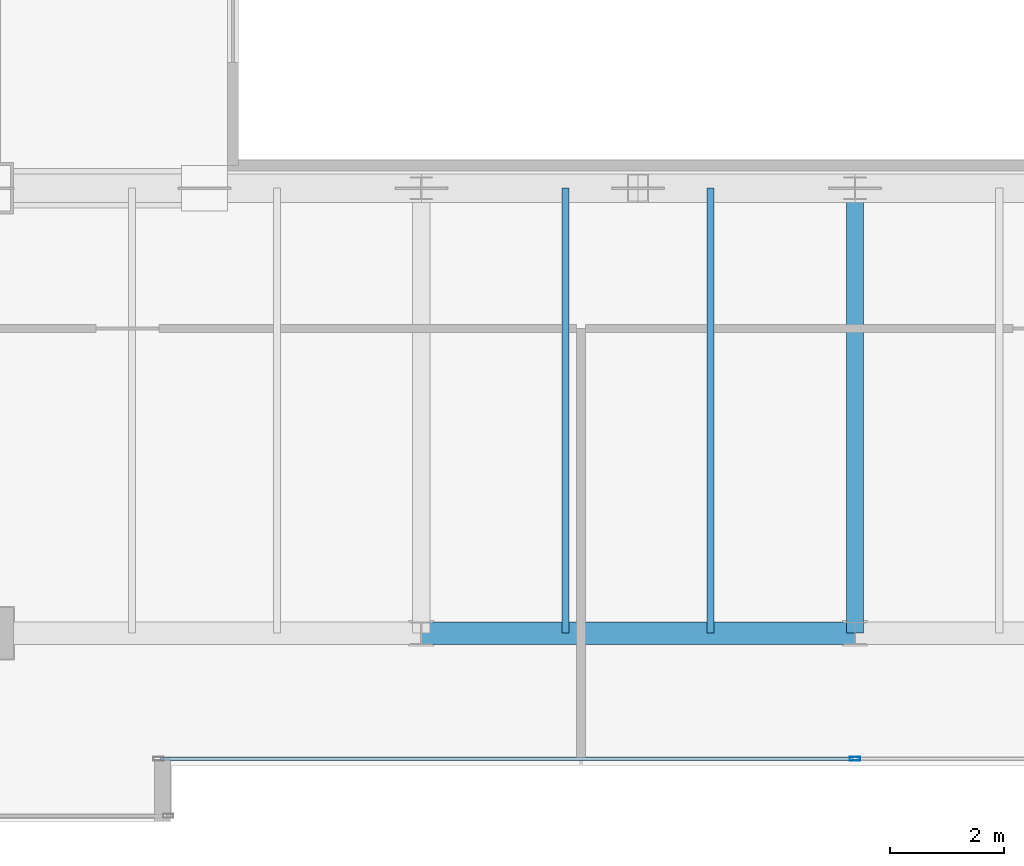
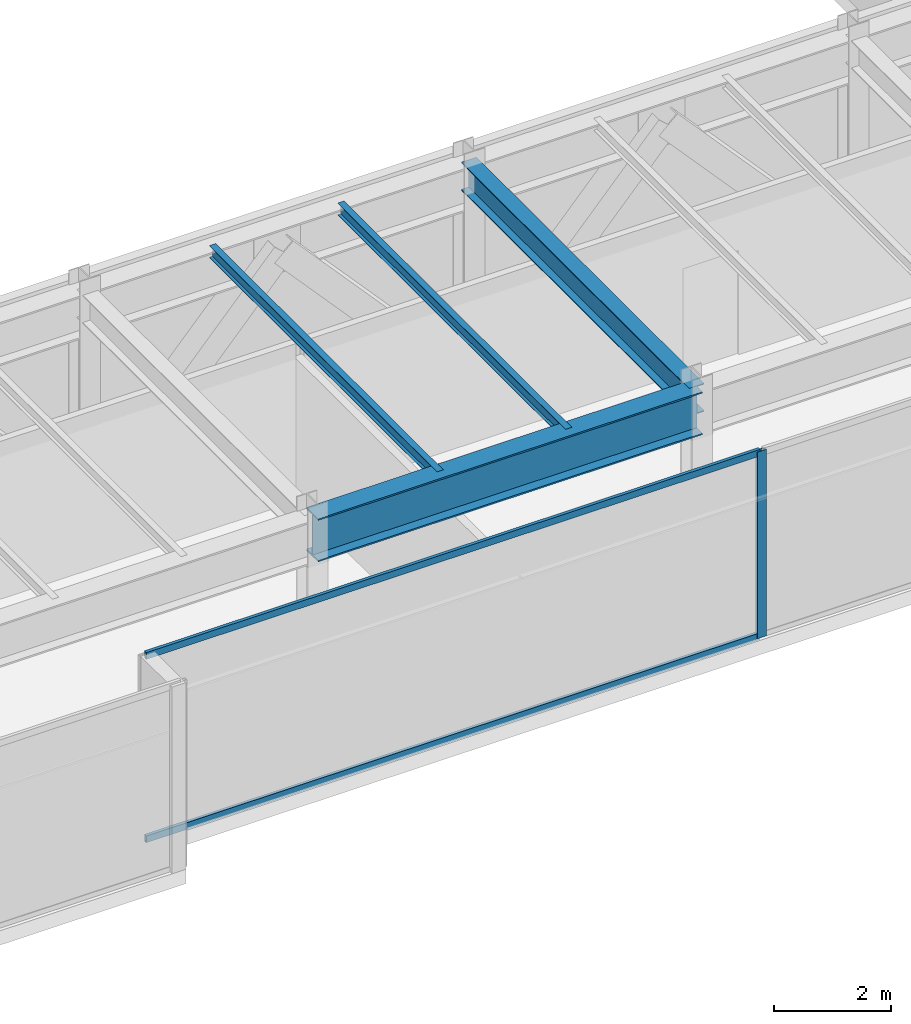
# One storey, part 7 of 32: 4 beams, 3 members, 1 element without a shape of its own.
"""IFC4 building model written with IfcOpenShell, lengths in metres."""

import ifcopenshell
import ifcopenshell.guid

model = None  # the IFC model being written
_history = None  # IfcOwnerHistory: only IFC2X3 demands one
_inside = {}  # id of a spatial element -> (the spatial element, [elements in it])
_under = {}  # id of a project, library or spatial element -> (it, [spatial elements below it])
_declared = {}  # id of a project -> (the project, [libraries it declares])
_typed = {}  # id of a type object -> (the type object, [elements of that type])
_made_of = {}  # id of a material, layer set ... -> (it, [elements and type objects made of it])


def new_model(schema):
    """Start an empty IFC model of exactly this schema.

    Asked for "IFC4X3", IfcOpenShell would pick the latest addendum, in which some entities
    have other attributes; the version numbers below select the first issue.
    IFC2X3 requires an IfcOwnerHistory on every rooted entity: one is made here for all.
    """
    global model, _history
    if schema == "IFC4X3":
        model = ifcopenshell.file(schema_version=(4, 3, 0, 0))
    else:
        model = ifcopenshell.file(schema=schema)
    _inside.clear()
    _under.clear()
    _declared.clear()
    _typed.clear()
    _made_of.clear()
    _history = None
    if model.schema == "IFC2X3":
        org = make("IfcOrganization", Name="unknown")
        user = make(
            "IfcPersonAndOrganization",
            ThePerson=make("IfcPerson", FamilyName="unknown"),
            TheOrganization=org,
        )
        app = make(
            "IfcApplication",
            ApplicationDeveloper=org,
            Version="unknown",
            ApplicationFullName="unknown",
            ApplicationIdentifier="unknown",
        )
        _history = make(
            "IfcOwnerHistory",
            OwningUser=user,
            OwningApplication=app,
            ChangeAction="ADDED",
            CreationDate=0,
        )
    return model


def make(cls, **values):
    """One entity of the class cls with the attributes given. An attribute that is None is left unset."""
    return model.create_entity(
        cls, **{name: value for name, value in values.items() if value is not None}
    )


def rooted(cls, **values):
    """An entity with a GlobalId (a new one), such as an element, a storey or a relation."""
    return make(cls, GlobalId=ifcopenshell.guid.new(), OwnerHistory=_history, **values)


def si_unit(unit_type, name, prefix=None):
    """IfcSIUnit, for example si_unit("LENGTHUNIT", "METRE", prefix="MILLI")."""
    return make("IfcSIUnit", UnitType=unit_type, Prefix=prefix, Name=name)


def assignment(units):
    """IfcUnitAssignment: the units of a project."""
    return None if units is None else make("IfcUnitAssignment", Units=units)


def point(xyz):
    """IfcCartesianPoint."""
    return None if xyz is None else make("IfcCartesianPoint", Coordinates=xyz)


def direction(xyz):
    """IfcDirection."""
    return None if xyz is None else make("IfcDirection", DirectionRatios=xyz)


def frame(location, z_axis=None, x_axis=None):
    """IfcAxis2Placement3D, a coordinate frame: its origin and axes. An axis left out is left unset."""
    return make(
        "IfcAxis2Placement3D",
        Location=point(location),
        Axis=direction(z_axis),
        RefDirection=direction(x_axis),
    )


def frame_2d(location, x_axis=None):
    """IfcAxis2Placement2D, a coordinate frame in the plane: its origin and x axis."""
    return make(
        "IfcAxis2Placement2D", Location=point(location), RefDirection=direction(x_axis)
    )


def origin():
    """The frame at (0, 0, 0) with its axes left unset."""
    return frame((0.0, 0.0, 0.0))


def origin_2d():
    """The frame at (0, 0) in the plane with its x axis left unset."""
    return frame_2d((0.0, 0.0))


def place(relative_to, where):
    """IfcLocalPlacement: puts the frame where relative to a parent placement (None: the world)."""
    return make(
        "IfcLocalPlacement", PlacementRelTo=relative_to, RelativePlacement=where
    )


def context(
    kind, dimensions, precision=None, world=None, true_north=None, identifier=None
):
    """IfcGeometricRepresentationContext, for example the 3D "Model" context."""
    return make(
        "IfcGeometricRepresentationContext",
        ContextIdentifier=identifier,
        ContextType=kind,
        CoordinateSpaceDimension=dimensions,
        Precision=precision,
        WorldCoordinateSystem=world,
        TrueNorth=true_north,
    )


def subcontext(parent, identifier, kind, view, scale=None):
    """IfcGeometricRepresentationSubContext, for example "Body" below "Model"."""
    return make(
        "IfcGeometricRepresentationSubContext",
        ContextIdentifier=identifier,
        ContextType=kind,
        ParentContext=parent,
        TargetScale=scale,
        TargetView=view,
    )


def project(units=None, contexts=None):
    """IfcProject with its units and contexts."""
    return rooted(
        "IfcProject",
        Name="project",
        RepresentationContexts=contexts,
        UnitsInContext=assignment(units),
    )


def spatial(cls, under=None, at=None, **own):
    """A site, building, storey or space (cls), placed at a placement, below another one or the project."""
    s = rooted(cls, ObjectPlacement=at, **own)
    if under is not None:
        _under.setdefault(under.id(), (under, []))[1].append(s)
    return s


def profile(cls, at=None, kind="AREA", **sizes):
    """A parametric profile (cls). Its sizes go by their IFC names, for example OverallWidth=200.0."""
    return make(cls, ProfileType=kind, Position=at, **sizes)


def hollow_rectangle(**sizes):
    """IfcRectangleHollowProfileDef."""
    return profile("IfcRectangleHollowProfileDef", **sizes)


def i_section(**sizes):
    """IfcIShapeProfileDef."""
    return profile("IfcIShapeProfileDef", **sizes)


def extrude(swept, where, along, depth):
    """IfcExtrudedAreaSolid: the profile swept, set in the frame where, extruded along a direction by depth."""
    return make(
        "IfcExtrudedAreaSolid",
        SweptArea=swept,
        Position=where,
        ExtrudedDirection=direction(along),
        Depth=depth,
    )


def shape(context_of_items, identifier, shape_type, items):
    """IfcShapeRepresentation: the items that make up one representation, for example the "Body"."""
    return make(
        "IfcShapeRepresentation",
        ContextOfItems=context_of_items,
        RepresentationIdentifier=identifier,
        RepresentationType=shape_type,
        Items=items,
    )


def source(mapping_origin, context_of_items, identifier, shape_type, items):
    """IfcRepresentationMap: a shape defined once, which mapped items show again and again."""
    return make(
        "IfcRepresentationMap",
        MappingOrigin=mapping_origin,
        MappedRepresentation=shape(context_of_items, identifier, shape_type, items),
    )


def transform(
    local_origin,
    x_axis=None,
    y_axis=None,
    z_axis=None,
    scale=None,
    scale2=None,
    scale3=None,
    uniform=True,
):
    """IfcCartesianTransformationOperator3D, or its non-uniform kind. x_axis, y_axis, z_axis: its Axis1, 2, 3."""
    if uniform:
        return make(
            "IfcCartesianTransformationOperator3D",
            Axis1=direction(x_axis),
            Axis2=direction(y_axis),
            LocalOrigin=point(local_origin),
            Scale=scale,
            Axis3=direction(z_axis),
        )
    return make(
        "IfcCartesianTransformationOperator3DnonUniform",
        Axis1=direction(x_axis),
        Axis2=direction(y_axis),
        LocalOrigin=point(local_origin),
        Scale=scale,
        Axis3=direction(z_axis),
        Scale2=scale2,
        Scale3=scale3,
    )


def mapped(mapping_source, mapping_target):
    """IfcMappedItem: shows the shape of a source again, moved by a transform."""
    return make(
        "IfcMappedItem", MappingSource=mapping_source, MappingTarget=mapping_target
    )


def material(Name=None, Category=None):
    """IfcMaterial."""
    return make("IfcMaterial", Name=Name, Category=Category)


def layer(
    of_material, thickness, ventilated=None, Name=None, Category=None, Priority=None
):
    """IfcMaterialLayer: one layer of a wall or slab, of a material (None: an air gap)."""
    return make(
        "IfcMaterialLayer",
        Material=of_material,
        LayerThickness=thickness,
        IsVentilated=ventilated,
        Name=Name,
        Category=Category,
        Priority=Priority,
    )


def layer_set(layers, Name=None):
    """IfcMaterialLayerSet."""
    return make("IfcMaterialLayerSet", MaterialLayers=layers, LayerSetName=Name)


def material_profile(
    of_material, cross_section, Name=None, Category=None, Priority=None
):
    """IfcMaterialProfile: a cross section and its material."""
    return make(
        "IfcMaterialProfile",
        Name=Name,
        Material=of_material,
        Profile=cross_section,
        Priority=Priority,
        Category=Category,
    )


def profile_set(profiles, Name=None, composite=None):
    """IfcMaterialProfileSet."""
    return make(
        "IfcMaterialProfileSet",
        Name=Name,
        MaterialProfiles=profiles,
        CompositeProfile=composite,
    )


def made_of(thing, what):
    """Note that an element or type object is made of a material, layer set ...; save() writes the relation."""
    if what is not None:
        _made_of.setdefault(what.id(), (what, []))[1].append(thing)
    return thing


def type_object(cls, material=None, **own):
    """A type object (cls), such as IfcWallType, which elements share."""
    return made_of(rooted(cls, **own), material)


def type_shapes(of_type, sources):
    """Give a type object the sources (RepresentationMaps) that its elements show as mapped items."""
    of_type.RepresentationMaps = sources


def element(
    cls,
    number,
    at=None,
    inside=None,
    cuts=None,
    type_object=None,
    material=None,
    context=None,
    identifier="Body",
    shape_type=None,
    held_by="IfcProductDefinitionShape",
    body=None,
    shapes=None,
    **own,
):
    """One element of the class cls, such as IfcWall. Its Tag is "e" and its number.

    at: its placement. inside: the storey or other place that contains it. cuts: it is an
    opening in that element (IfcRelVoidsElement). A single representation is given by context,
    identifier, shape_type and body (its items); several are given by shapes. held_by: the class
    of the entity that holds the representations. save() writes the other relations.
    """
    e = rooted(cls, Tag="e%d" % number, ObjectPlacement=at, **own)
    if body is not None:
        shapes = [shape(context, identifier, shape_type, body)]
    if shapes is not None:
        e.Representation = make(held_by, Representations=shapes)
    if inside is not None:
        _inside.setdefault(inside.id(), (inside, []))[1].append(e)
    if cuts is not None:
        rooted(
            "IfcRelVoidsElement", RelatingBuildingElement=cuts, RelatedOpeningElement=e
        )
    if type_object is not None:
        _typed.setdefault(type_object.id(), (type_object, []))[1].append(e)
    return made_of(e, material)


def aggregate(whole, parts):
    """IfcRelAggregates: a whole, such as a stair, and the parts it consists of."""
    return rooted("IfcRelAggregates", RelatingObject=whole, RelatedObjects=parts)


def save(model, path):
    """Write the relations noted so far, then the file.

    IfcRelAggregates (storeys below a building ...), IfcRelContainedInSpatialStructure (elements
    in a storey), IfcRelDefinesByType, IfcRelAssociatesMaterial and IfcRelDeclares: one each for
    every whole, place, type object, material and project.
    """
    for whole, parts in _under.values():
        aggregate(whole, parts)
    for where, things in _inside.values():
        rooted(
            "IfcRelContainedInSpatialStructure",
            RelatedElements=things,
            RelatingStructure=where,
        )
    for kind, things in _typed.values():
        rooted("IfcRelDefinesByType", RelatedObjects=things, RelatingType=kind)
    for what, things in _made_of.values():
        rooted("IfcRelAssociatesMaterial", RelatedObjects=things, RelatingMaterial=what)
    for by, libraries in _declared.values():
        rooted("IfcRelDeclares", RelatingContext=by, RelatedDefinitions=libraries)
    model.write(path)


model = new_model("IFC4")

# Units and contexts
model_context = context("Model", 3, precision=1e-05, world=origin(), true_north=direction((0.0, 1.0)))
body_context = subcontext(model_context, "Body", "Model", "MODEL_VIEW")
ifc_project = project(units=[si_unit("LENGTHUNIT", "METRE"), si_unit("AREAUNIT", "SQUARE_METRE"), si_unit("VOLUMEUNIT", "CUBIC_METRE"), si_unit("PLANEANGLEUNIT", "RADIAN"), si_unit("MASSUNIT", "GRAM", prefix="KILO")], contexts=[model_context])

# Site, building, storey
site_placement = place(None, origin())
site = spatial("IfcSite", under=ifc_project, at=site_placement, CompositionType="ELEMENT")
building_placement = place(site_placement, origin())
building = spatial("IfcBuilding", under=site, at=building_placement, Name="Haelvirn Gate Laboratories", CompositionType="ELEMENT")
storey_placement = place(building_placement, frame((0.0, 0.0, 301.800048828125)))
storey = spatial("IfcBuildingStorey", under=building, at=storey_placement, Name="L72", CompositionType="ELEMENT", Elevation=301.800048828125)

# Beams
ifc_material_1 = material(Name="Steel SM420", Category="steel")
ifc_material_profile_1 = material_profile(ifc_material_1, i_section(OverallWidth=0.39990234375, OverallDepth=0.89990234375, WebThickness=0.01904296875, FlangeThickness=0.031982421875, at=origin_2d()), Name="H-900x400x19x32")
ifc_profile_set_1 = profile_set([ifc_material_profile_1], Name="Steel SM420")
beam_type_1 = type_object("IfcBeamType", Name="BM-TG-900", PredefinedType="BEAM", material=ifc_profile_set_1)
shared_shape_1 = source(origin(), body_context, "Body", "SweptSolid", [
    extrude(i_section(OverallWidth=0.39990234375, OverallDepth=0.89990234375, WebThickness=0.01904296875, FlangeThickness=0.031982421875, at=origin_2d()), origin(), (0.0, 0.0, 1.0), 7.599853515625),
])
type_shapes(beam_type_1, [shared_shape_1])
beam_1_placement = place(storey_placement, frame((29.800048828125, 7.0, 3.449951171875), z_axis=(1.0, 0.0, 0.0), x_axis=(0.0, 1.0, 0.0)))
element("IfcBeam", 1, at=beam_1_placement, inside=storey, type_object=beam_type_1, Name="L72 Primary Girder Y7.0 (29.8-37.4)", PredefinedType="BEAM", context=body_context, shape_type="MappedRepresentation", body=[
    mapped(shared_shape_1, transform((0.0, 0.0, 0.0), scale=1.0)),
])
ifc_material_2 = material(Name="Steel SM355", Category="steel")
ifc_material_profile_2 = material_profile(ifc_material_2, i_section(OverallWidth=0.300048828125, OverallDepth=0.587890625, WebThickness=0.011962890625, FlangeThickness=0.02001953125, at=origin_2d()), Name="H-588x300x12x20")
ifc_profile_set_2 = profile_set([ifc_material_profile_2], Name="Steel SM355")
beam_type_2 = type_object("IfcBeamType", Name="BM-G-588", PredefinedType="BEAM", material=ifc_profile_set_2)
shared_shape_2 = source(origin(), body_context, "Body", "SweptSolid", [
    extrude(i_section(OverallWidth=0.300048828125, OverallDepth=0.587890625, WebThickness=0.011962890625, FlangeThickness=0.02001953125, at=origin_2d()), origin(), (0.0, 0.0, 1.0), 7.800048828125),
])
type_shapes(beam_type_2, [shared_shape_2])
beam_2_placement = place(storey_placement, frame((37.39990234375, 7.0, 3.60595703125), z_axis=(0.0, 1.0, 0.0), x_axis=(-1.0, 0.0, 0.0)))
element("IfcBeam", 2, at=beam_2_placement, inside=storey, type_object=beam_type_2, Name="L72 Frame Girder X37.4 (7.0-14.8)", PredefinedType="BEAM", context=body_context, shape_type="MappedRepresentation", body=[
    mapped(shared_shape_2, transform((0.0, 0.0, 0.0), scale=1.0)),
])
ifc_material_profile_3 = material_profile(ifc_material_2, i_section(OverallWidth=0.125, OverallDepth=0.25, WebThickness=0.006103515625, FlangeThickness=0.009033203125, at=origin_2d()), Name="H-250x125x6x9")
ifc_profile_set_3 = profile_set([ifc_material_profile_3], Name="Steel SM355")
beam_type_3 = type_object("IfcBeamType", Name="BM-J-250", PredefinedType="JOIST", material=ifc_profile_set_3)
shared_shape_3 = source(origin(), body_context, "Body", "SweptSolid", [
    extrude(i_section(OverallWidth=0.125, OverallDepth=0.25, WebThickness=0.006103515625, FlangeThickness=0.009033203125, at=origin_2d()), origin(), (0.0, 0.0, 1.0), 7.800048828125),
])
type_shapes(beam_type_3, [shared_shape_3])
for number, where, z_axis, x_axis, name in (
    (3, (32.330078125, 7.0, 3.77490234375), (0.0, 1.0, 0.0), (-1.0, 0.0, 0.0), "L72 Composite Lab Joist South X32.33"),
    (4, (34.8701171875, 7.0, 3.77490234375), (0.0, 1.0, 0.0), (-1.0, 0.0, 0.0), "L72 Composite Lab Joist South X34.87"),
):
    element("IfcBeam", number, at=place(storey_placement, frame(where, z_axis=z_axis, x_axis=x_axis)), inside=storey, type_object=beam_type_3, Name=name, PredefinedType="JOIST", context=body_context, shape_type="MappedRepresentation", body=[
        mapped(shared_shape_3, transform((0.0, 0.0, 0.0), scale=1.0)),
    ])

# Curtain wall, members
ifc_material_3 = material(Name="Anodised bronze unitised aluminium & triple low-E glass", Category="aluminium")
ifc_layer = layer(ifc_material_3, 0.176025390625, Name="CW-SYS-4")
ifc_layer_set = layer_set([ifc_layer], Name="Anodised bronze unitised aluminium & triple low-E glass")
curtain_wall_type = type_object("IfcCurtainWallType", Name="CW-SYS-4", PredefinedType="NOTDEFINED", material=ifc_layer_set)
curtain_wall_placement = place(storey_placement, origin())
curtain_wall = element("IfcCurtainWall", 5, at=curtain_wall_placement, inside=storey, type_object=curtain_wall_type, Name="L72 Unitised Curtain Wall CW-L72-P0-E02-1", PredefinedType="NOTDEFINED")
ifc_material_4 = material(Name="Extruded aluminium 6063-T6 (anodised bronze)", Category="aluminium")
ifc_material_profile_4 = material_profile(ifc_material_4, hollow_rectangle(XDim=0.06494140625, YDim=0.139892578125, WallThickness=0.00390625, at=origin_2d()), Name="CWT-140x65x4")
ifc_profile_set_4 = profile_set([ifc_material_profile_4], Name="Extruded aluminium 6063-T6 (anodised bronze)")
member_type_1 = type_object("IfcMemberType", Name="CWT-T140", PredefinedType="USERDEFINED", material=ifc_profile_set_4)
shared_shape_4 = source(origin(), body_context, "Body", "SweptSolid", [
    extrude(hollow_rectangle(XDim=0.06494140625, YDim=0.139892578125, WallThickness=0.00390625, at=origin_2d()), origin(), (0.0, 0.0, 1.0), 12.135009765625),
])
type_shapes(member_type_1, [shared_shape_4])
member_1_placement = place(storey_placement, frame((25.22998046875, 4.800048828125, 0.032470703125), z_axis=(1.0, 0.0, 0.0), x_axis=(0.0, 1.0, 0.0)))
member_1 = element("IfcMember", 6, at=member_1_placement, type_object=member_type_1, Name="CW4 transom 1.1", ObjectType="TRANSOM", PredefinedType="USERDEFINED", context=body_context, shape_type="MappedRepresentation", body=[
    mapped(shared_shape_4, transform((0.0, 0.0, 0.0), scale=1.0)),
])
member_2_placement = place(storey_placement, frame((25.22998046875, 4.800048828125, 3.867431640625), z_axis=(1.0, 0.0, 0.0), x_axis=(0.0, 1.0, 0.0)))
member_2 = element("IfcMember", 7, at=member_2_placement, type_object=member_type_1, Name="CW4 transom 1.2", ObjectType="TRANSOM", PredefinedType="USERDEFINED", context=body_context, shape_type="MappedRepresentation", body=[
    mapped(shared_shape_4, transform((0.0, 0.0, 0.0), scale=1.0)),
])
ifc_material_profile_5 = material_profile(ifc_material_4, hollow_rectangle(XDim=0.070068359375, YDim=0.179931640625, WallThickness=0.0048828125, at=origin_2d()), Name="CWM-180x70x5")
ifc_profile_set_5 = profile_set([ifc_material_profile_5], Name="Extruded aluminium 6063-T6 (anodised bronze)")
member_type_2 = type_object("IfcMemberType", Name="CWM-T180", PredefinedType="MULLION", material=ifc_profile_set_5)
shared_shape_5 = source(origin(), body_context, "Body", "SweptSolid", [
    extrude(hollow_rectangle(XDim=0.070068359375, YDim=0.179931640625, WallThickness=0.0048828125, at=origin_2d()), origin(), (0.0, 0.0, 1.0), 3.89990234375),
])
type_shapes(member_type_2, [shared_shape_5])
member_3_placement = place(storey_placement, frame((37.39990234375, 4.800048828125, 0.0), z_axis=(0.0, 0.0, 1.0), x_axis=(0.0, 1.0, 0.0)))
member_3 = element("IfcMember", 8, at=member_3_placement, type_object=member_type_2, Name="CW4 mullion 2", PredefinedType="MULLION", context=body_context, shape_type="MappedRepresentation", body=[
    mapped(shared_shape_5, transform((0.0, 0.0, 0.0), scale=1.0)),
])
aggregate(curtain_wall, [member_3, member_1, member_2])

save(model, "model.ifc")
